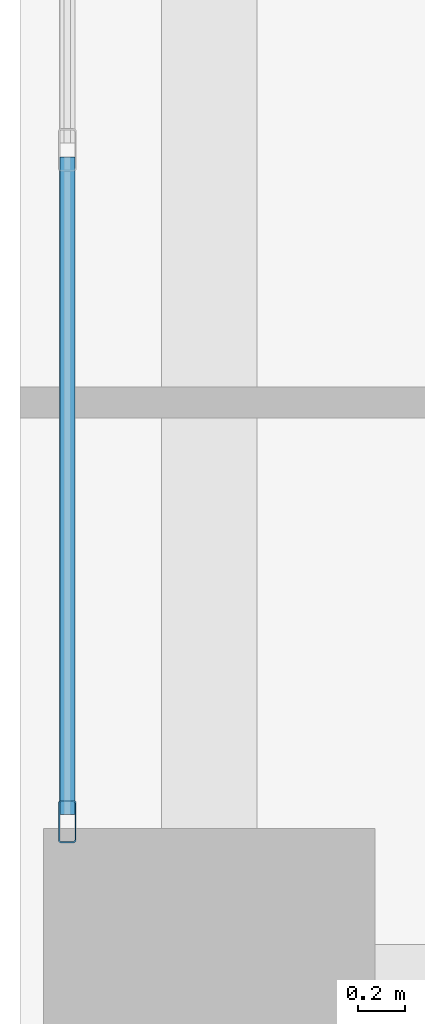
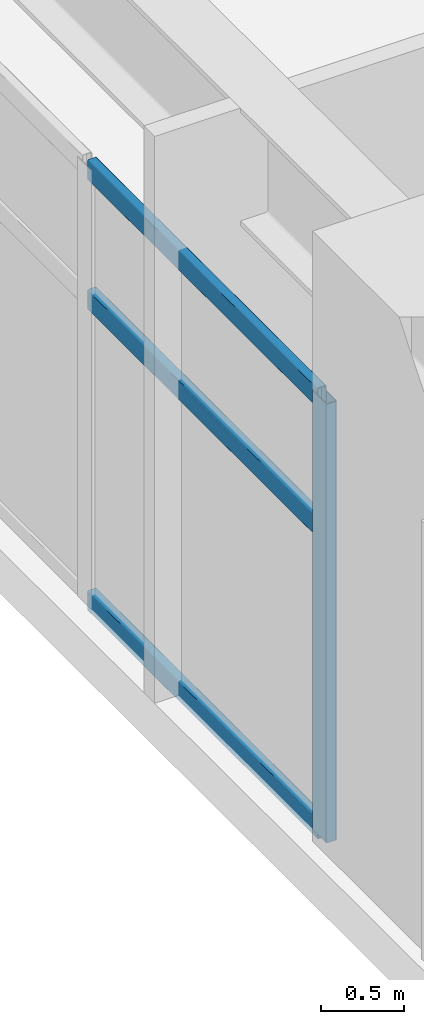
# One storey, part 5 of 28: 4 members, 1 element without a shape of its own.
"""IFC4 building model written with IfcOpenShell, lengths in metres."""

from ifc_helpers import new_model, si_unit, direction, frame, origin, origin_2d, place, context, subcontext, project, spatial, hollow_rectangle, extrude, material, layer, layer_set, material_profile, profile_set, type_object, element, aggregate, save


model = new_model("IFC4")

# Units and contexts
model_context = context("Model", 3, precision=1e-05, world=origin(), true_north=direction((0.0, 1.0)))
body_context = subcontext(model_context, "Body", "Model", "MODEL_VIEW")
ifc_project = project(units=[si_unit("LENGTHUNIT", "METRE"), si_unit("AREAUNIT", "SQUARE_METRE"), si_unit("VOLUMEUNIT", "CUBIC_METRE"), si_unit("PLANEANGLEUNIT", "RADIAN"), si_unit("MASSUNIT", "GRAM", prefix="KILO")], contexts=[model_context])

# Site, building, storey
site_placement = place(None, origin())
site = spatial("IfcSite", under=ifc_project, at=site_placement, CompositionType="ELEMENT")
building_placement = place(site_placement, origin())
building = spatial("IfcBuilding", under=site, at=building_placement, Name="Soratama Intermodal Tower", CompositionType="ELEMENT")
storey_placement = place(building_placement, frame((0.0, 0.0, 20.699951171875)))
storey = spatial("IfcBuildingStorey", under=building, at=storey_placement, Name="L04", CompositionType="ELEMENT", Elevation=20.699951171875)

# Curtain wall, members
ifc_material_1 = material(Name="Double-glazed aluminium curtain wall", Category="aluminium")
ifc_layer = layer(ifc_material_1, 0.159912109375)
ifc_layer_set = layer_set([ifc_layer], Name="Double-glazed aluminium curtain wall")
curtain_wall_type = type_object("IfcCurtainWallType", Name="CW-SYS-1", PredefinedType="NOTDEFINED", material=ifc_layer_set)
curtain_wall_placement = place(storey_placement, origin())
curtain_wall = element("IfcCurtainWall", 1, at=curtain_wall_placement, inside=storey, type_object=curtain_wall_type, Name="L04 Station Curtain Wall W1", PredefinedType="NOTDEFINED")
ifc_material_2 = material(Name="Anodised aluminium AA 6063-T6", Category="aluminium")
ifc_material_profile_1 = material_profile(ifc_material_2, hollow_rectangle(XDim=0.074951171875, YDim=0.179931640625, WallThickness=0.006103515625, InnerFilletRadius=0.006103515625, OuterFilletRadius=0.011962890625, at=origin_2d()), Name="CWM180X75X6")
ifc_profile_set_1 = profile_set([ifc_material_profile_1], Name="Anodised aluminium AA 6063-T6")
member_type_1 = type_object("IfcMemberType", Name="MT-CWM-1", PredefinedType="MULLION", material=ifc_profile_set_1)
member_1_placement = place(storey_placement, frame((0.199951171875, 15.72998046875, 0.0), z_axis=(0.0, 0.0, 1.0), x_axis=(-1.0, 0.0, 0.0)))
member_1 = element("IfcMember", 2, at=member_1_placement, type_object=member_type_1, Name="CW-1 mullion 1", PredefinedType="MULLION", context=body_context, shape_type="SweptSolid", body=[
    extrude(hollow_rectangle(XDim=0.074951171875, YDim=0.179931640625, WallThickness=0.006103515625, InnerFilletRadius=0.006103515625, OuterFilletRadius=0.011962890625, at=origin_2d()), origin(), (0.0, 0.0, 1.0), 3.236083984375),
])
ifc_material_3 = material(Name="Anodised aluminium AA 6063-T6", Category="aluminium")
ifc_material_profile_2 = material_profile(ifc_material_3, hollow_rectangle(XDim=0.06494140625, YDim=0.14990234375, WallThickness=0.0048828125, InnerFilletRadius=0.0048828125, OuterFilletRadius=0.010009765625, at=origin_2d()), Name="CWT150X65X5")
ifc_profile_set_2 = profile_set([ifc_material_profile_2], Name="Anodised aluminium AA 6063-T6")
member_type_2 = type_object("IfcMemberType", Name="TT-CWT-1", PredefinedType="USERDEFINED", material=ifc_profile_set_2)
member_2_placement = place(storey_placement, frame((0.199951171875, 15.760009765625, 0.030029296875), z_axis=(0.0, 1.0, 0.0), x_axis=(-1.0, 0.0, 0.0)))
member_2 = element("IfcMember", 3, at=member_2_placement, type_object=member_type_2, Name="CW-1 transom 1.1", ObjectType="TRANSOM", PredefinedType="USERDEFINED", context=body_context, shape_type="SweptSolid", body=[
    extrude(hollow_rectangle(XDim=0.06494140625, YDim=0.14990234375, WallThickness=0.0048828125, InnerFilletRadius=0.0048828125, OuterFilletRadius=0.010009765625, at=origin_2d()), origin(), (0.0, 0.0, 1.0), 2.776611328125),
])
member_3_placement = place(storey_placement, frame((0.199951171875, 15.760009765625, 2.25), z_axis=(0.0, 1.0, 0.0), x_axis=(-1.0, 0.0, 0.0)))
member_3 = element("IfcMember", 4, at=member_3_placement, type_object=member_type_2, Name="CW-1 transom 1.2", ObjectType="TRANSOM", PredefinedType="USERDEFINED", context=body_context, shape_type="SweptSolid", body=[
    extrude(hollow_rectangle(XDim=0.06494140625, YDim=0.14990234375, WallThickness=0.0048828125, InnerFilletRadius=0.0048828125, OuterFilletRadius=0.010009765625, at=origin_2d()), origin(), (0.0, 0.0, 1.0), 2.776611328125),
])
member_4_placement = place(storey_placement, frame((0.199951171875, 15.760009765625, 3.2060546875), z_axis=(0.0, 1.0, 0.0), x_axis=(-1.0, 0.0, 0.0)))
member_4 = element("IfcMember", 5, at=member_4_placement, type_object=member_type_2, Name="CW-1 transom 1.3", ObjectType="TRANSOM", PredefinedType="USERDEFINED", context=body_context, shape_type="SweptSolid", body=[
    extrude(hollow_rectangle(XDim=0.06494140625, YDim=0.14990234375, WallThickness=0.0048828125, InnerFilletRadius=0.0048828125, OuterFilletRadius=0.010009765625, at=origin_2d()), origin(), (0.0, 0.0, 1.0), 2.776611328125),
])
aggregate(curtain_wall, [member_1, member_2, member_3, member_4])

save(model, "model.ifc")
